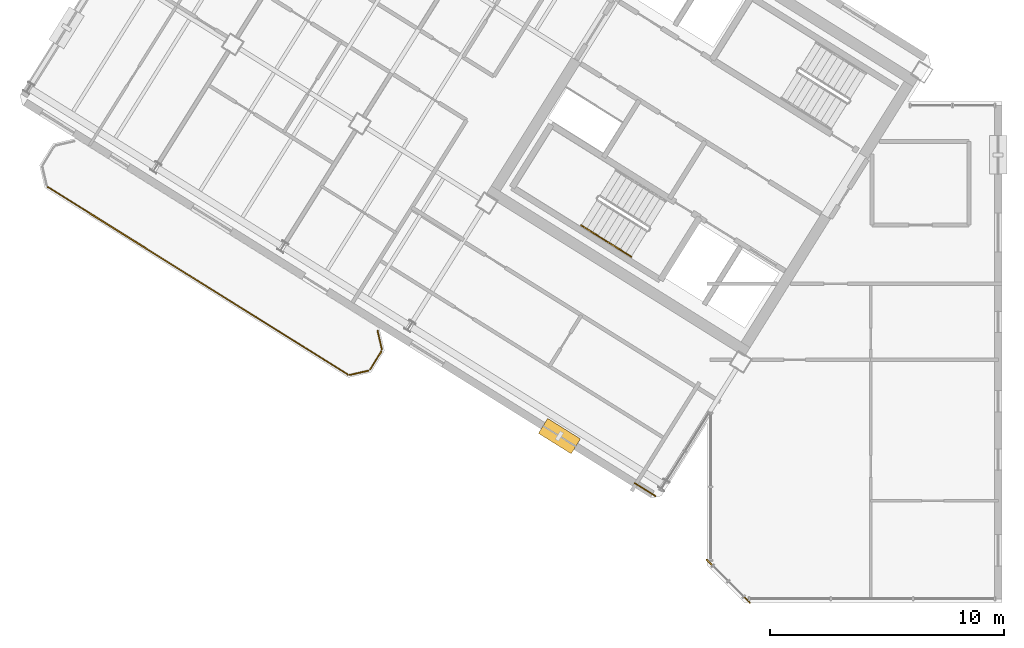
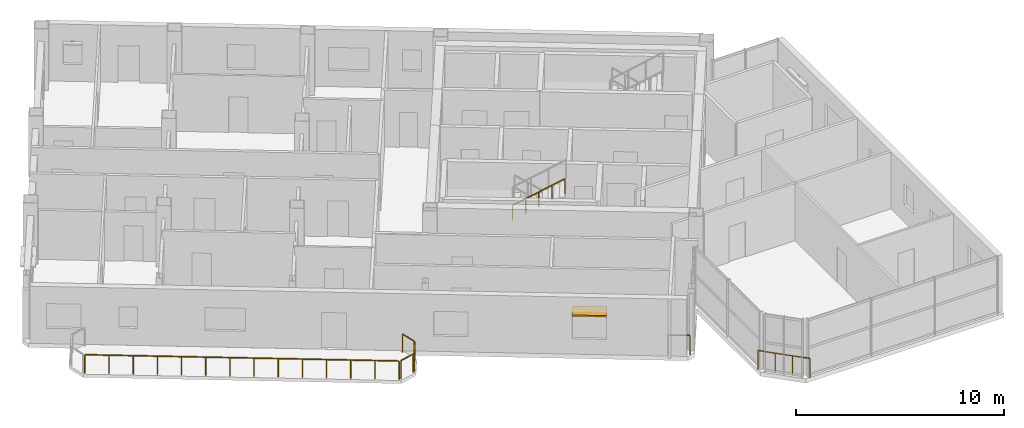
# One storey, part 12 of 15: 8 railings, 1 shading device.
"""IFC4 building model written with IfcOpenShell, lengths in metres."""

from ifc_helpers import new_model, si_unit, direction, frame, origin, origin_2d, place, context, subcontext, project, spatial, rectangle, extrude, source, transform, mapped, material, layer, layer_set, type_object, element, save


model = new_model("IFC4")

# Units and contexts
model_context = context("Model", 3, precision=1e-05, world=origin(), true_north=direction((0.0, 1.0)))
body_context = subcontext(model_context, "Body", "Model", "MODEL_VIEW")
ifc_project = project(units=[si_unit("LENGTHUNIT", "METRE"), si_unit("AREAUNIT", "SQUARE_METRE"), si_unit("VOLUMEUNIT", "CUBIC_METRE"), si_unit("PLANEANGLEUNIT", "RADIAN"), si_unit("MASSUNIT", "GRAM", prefix="KILO")], contexts=[model_context])

# Site, building, storey
site_placement = place(None, origin())
site = spatial("IfcSite", under=ifc_project, at=site_placement, CompositionType="ELEMENT")
building_placement = place(site_placement, origin())
building = spatial("IfcBuilding", under=site, at=building_placement, Name="Tlacorven Tower", CompositionType="ELEMENT")
storey_placement = place(building_placement, frame((0.0, 0.0, 266.39990234375)))
storey = spatial("IfcBuildingStorey", under=building, at=storey_placement, Name="L67", CompositionType="ELEMENT", Elevation=266.39990234375)

# Railings
ifc_material_1 = material(Name="Aluminium and painted steel balustrade", Category="steel")
railing_type_1 = type_object("IfcRailingType", Name="RL-BAL-1100", PredefinedType="BALUSTRADE", material=ifc_material_1)
shared_shape_1 = source(origin(), body_context, "Body", "SweptSolid", [
    extrude(rectangle(XDim=0.048095703125, YDim=0.048095703125, at=origin_2d()), frame((0.0, 0.0, 1.076171875), z_axis=(0.225058334816, -0.974345290916, 0.0), x_axis=(0.974345290916, 0.225058334816, 0.0)), (0.0, 0.0, 1.0), 0.80712890625),
    extrude(rectangle(XDim=0.0419921875, YDim=0.0419921875, at=origin_2d()), origin(), (0.0, 0.0, 1.0), 1.052001953125),
    extrude(rectangle(XDim=0.0419921875, YDim=0.0419921875, at=origin_2d()), frame((0.181640625, -0.786376953125, 0.0)), (0.0, 0.0, 1.0), 1.052001953125),
])
railing_1_placement = place(storey_placement, frame((17.5244140625, 13.413330078125, 0.0)))
element("IfcRailing", 1, at=railing_1_placement, inside=storey, type_object=railing_type_1, Name="BAL-L67-W-OUT Guard Railing 1", PredefinedType="BALUSTRADE", context=body_context, shape_type="MappedRepresentation", body=[
    mapped(shared_shape_1, transform((0.0, 0.0, 0.0), scale=1.0)),
])
shared_shape_2 = source(origin(), body_context, "Body", "SweptSolid", [
    extrude(rectangle(XDim=0.048095703125, YDim=0.048095703125, at=origin_2d()), frame((0.0, 0.0, 1.076171875), z_axis=(-0.52987865805, -0.848073468364, 0.0), x_axis=(0.848073468364, -0.52987865805, 0.0)), (0.0, 0.0, 1.0), 0.912353515625),
    extrude(rectangle(XDim=0.0419921875, YDim=0.0419921875, at=origin_2d()), origin(), (0.0, 0.0, 1.0), 1.052001953125),
    extrude(rectangle(XDim=0.0419921875, YDim=0.0419921875, at=origin_2d()), frame((-0.4833984375, -0.773681640625, 0.0)), (0.0, 0.0, 1.0), 1.052001953125),
])
railing_2_placement = place(storey_placement, frame((17.690673828125, 12.535888671875, 0.0)))
element("IfcRailing", 2, at=railing_2_placement, inside=storey, type_object=railing_type_1, Name="BAL-L67-W-OUT Guard Railing 2", PredefinedType="BALUSTRADE", context=body_context, shape_type="MappedRepresentation", body=[
    mapped(shared_shape_2, transform((0.0, 0.0, 0.0), scale=1.0)),
])
shared_shape_3 = source(origin(), body_context, "Body", "SweptSolid", [
    extrude(rectangle(XDim=0.048095703125, YDim=0.048095703125, at=origin_2d()), frame((0.0, 0.0, 1.076171875), z_axis=(-0.974411586182, -0.224771129628, 0.0), x_axis=(0.224771129628, -0.974411586182, 0.0)), (0.0, 0.0, 1.0), 0.80712890625),
    extrude(rectangle(XDim=0.0419921875, YDim=0.0419921875, at=origin_2d()), origin(), (0.0, 0.0, 1.0), 1.052001953125),
    extrude(rectangle(XDim=0.0419921875, YDim=0.0419921875, at=origin_2d()), frame((-0.786376953125, -0.181396484375, 0.0)), (0.0, 0.0, 1.0), 1.052001953125),
])
railing_3_placement = place(storey_placement, frame((17.132080078125, 11.70849609375, 0.0)))
element("IfcRailing", 3, at=railing_3_placement, inside=storey, type_object=railing_type_1, Name="BAL-L67-W-OUT Guard Railing 3", PredefinedType="BALUSTRADE", context=body_context, shape_type="MappedRepresentation", body=[
    mapped(shared_shape_3, transform((0.0, 0.0, 0.0), scale=1.0)),
])
shared_shape_4 = source(origin(), body_context, "Body", "SweptSolid", [
    extrude(rectangle(XDim=0.048095703125, YDim=0.048095703125, at=origin_2d()), frame((0.0, 0.0, 1.076171875), z_axis=(-0.848044572804, 0.529924902733, 0.0), x_axis=(-0.529924902733, -0.848044572804, 0.0)), (0.0, 0.0, 1.0), 15.1171875),
    extrude(rectangle(XDim=0.0419921875, YDim=0.0419921875, at=origin_2d()), origin(), (0.0, 0.0, 1.0), 1.052001953125),
    extrude(rectangle(XDim=0.0419921875, YDim=0.0419921875, at=origin_2d()), frame((-0.986083984375, 0.6162109375, 0.0)), (0.0, 0.0, 1.0), 1.052001953125),
    extrude(rectangle(XDim=0.0419921875, YDim=0.0419921875, at=origin_2d()), frame((-1.972412109375, 1.232421875, 0.0)), (0.0, 0.0, 1.0), 1.052001953125),
    extrude(rectangle(XDim=0.0419921875, YDim=0.0419921875, at=origin_2d()), frame((-2.95849609375, 1.8486328125, 0.0)), (0.0, 0.0, 1.0), 1.052001953125),
    extrude(rectangle(XDim=0.0419921875, YDim=0.0419921875, at=origin_2d()), frame((-3.944580078125, 2.46484375, 0.0)), (0.0, 0.0, 1.0), 1.052001953125),
    extrude(rectangle(XDim=0.0419921875, YDim=0.0419921875, at=origin_2d()), frame((-4.930908203125, 3.0810546875, 0.0)), (0.0, 0.0, 1.0), 1.052001953125),
    extrude(rectangle(XDim=0.0419921875, YDim=0.0419921875, at=origin_2d()), frame((-5.9169921875, 3.697265625, 0.0)), (0.0, 0.0, 1.0), 1.052001953125),
    extrude(rectangle(XDim=0.0419921875, YDim=0.0419921875, at=origin_2d()), frame((-6.903076171875, 4.313720703125, 0.0)), (0.0, 0.0, 1.0), 1.052001953125),
    extrude(rectangle(XDim=0.0419921875, YDim=0.0419921875, at=origin_2d()), frame((-7.88916015625, 4.929931640625, 0.0)), (0.0, 0.0, 1.0), 1.052001953125),
    extrude(rectangle(XDim=0.0419921875, YDim=0.0419921875, at=origin_2d()), frame((-8.87548828125, 5.546142578125, 0.0)), (0.0, 0.0, 1.0), 1.052001953125),
    extrude(rectangle(XDim=0.0419921875, YDim=0.0419921875, at=origin_2d()), frame((-9.861572265625, 6.162353515625, 0.0)), (0.0, 0.0, 1.0), 1.052001953125),
    extrude(rectangle(XDim=0.0419921875, YDim=0.0419921875, at=origin_2d()), frame((-10.84765625, 6.778564453125, 0.0)), (0.0, 0.0, 1.0), 1.052001953125),
    extrude(rectangle(XDim=0.0419921875, YDim=0.0419921875, at=origin_2d()), frame((-11.833984375, 7.394775390625, 0.0)), (0.0, 0.0, 1.0), 1.052001953125),
    extrude(rectangle(XDim=0.0419921875, YDim=0.0419921875, at=origin_2d()), frame((-12.820068359375, 8.010986328125, 0.0)), (0.0, 0.0, 1.0), 1.052001953125),
])
railing_4_placement = place(storey_placement, frame((16.254638671875, 11.542236328125, 0.0)))
element("IfcRailing", 4, at=railing_4_placement, inside=storey, type_object=railing_type_1, Name="BAL-L67-W-OUT Guard Railing 4", PredefinedType="BALUSTRADE", context=body_context, shape_type="MappedRepresentation", body=[
    mapped(shared_shape_4, transform((0.0, 0.0, 0.0), scale=1.0)),
])
railing_type_2 = type_object("IfcRailingType", Name="RL-GRD-1150", PredefinedType="GUARDRAIL", material=ifc_material_1)
shared_shape_5 = source(origin(), body_context, "Body", "SweptSolid", [
    extrude(rectangle(XDim=0.048095703125, YDim=0.048095703125, at=origin_2d()), frame((0.0, 0.0, 1.1259765625), z_axis=(-0.707106781187, 0.707106781187, 0.0), x_axis=(-0.707106781187, -0.707106781187, 0.0)), (0.0, 0.0, 1.0), 2.590087890625),
    extrude(rectangle(XDim=0.0419921875, YDim=0.0419921875, at=origin_2d()), origin(), (0.0, 0.0, 1.0), 1.101806640625),
    extrude(rectangle(XDim=0.0419921875, YDim=0.0419921875, at=origin_2d()), frame((-0.610595703125, 0.610595703125, 0.0)), (0.0, 0.0, 1.0), 1.101806640625),
    extrude(rectangle(XDim=0.0419921875, YDim=0.0419921875, at=origin_2d()), frame((-1.220947265625, 1.220947265625, 0.0)), (0.0, 0.0, 1.0), 1.101806640625),
    extrude(rectangle(XDim=0.0419921875, YDim=0.0419921875, at=origin_2d()), frame((-1.83154296875, 1.83154296875, 0.0)), (0.0, 0.0, 1.0), 1.101806640625),
])
railing_5_placement = place(storey_placement, frame((33.428955078125, 1.79736328125, 0.0)))
element("IfcRailing", 5, at=railing_5_placement, inside=storey, type_object=railing_type_2, Name="L67 Knuckle Glazed Sill Guard 1", PredefinedType="GUARDRAIL", context=body_context, shape_type="MappedRepresentation", body=[
    mapped(shared_shape_5, transform((0.0, 0.0, 0.0), scale=1.0)),
])
shared_shape_6 = source(origin(), body_context, "Body", "SweptSolid", [
    extrude(rectangle(XDim=0.048095703125, YDim=0.048095703125, at=origin_2d()), frame((0.0, 0.0, 1.1259765625), z_axis=(-0.848102774857, 0.529831749973, 0.0), x_axis=(-0.529831749973, -0.848102774857, 0.0)), (0.0, 0.0, 1.0), 1.050048828125),
    extrude(rectangle(XDim=0.0419921875, YDim=0.0419921875, at=origin_2d()), origin(), (0.0, 0.0, 1.0), 1.101806640625),
    extrude(rectangle(XDim=0.0419921875, YDim=0.0419921875, at=origin_2d()), frame((-0.890625, 0.556396484375, 0.0)), (0.0, 0.0, 1.0), 1.101806640625),
])
railing_6_placement = place(storey_placement, frame((29.39501953125, 6.35009765625, 0.0)))
element("IfcRailing", 6, at=railing_6_placement, inside=storey, type_object=railing_type_2, Name="L67 Knuckle Glazed Sill Guard 2", PredefinedType="GUARDRAIL", context=body_context, shape_type="MappedRepresentation", body=[
    mapped(shared_shape_6, transform((0.0, 0.0, 0.0), scale=1.0)),
])

# Shading device
ifc_material_2 = material(Name="Anodised bronze aluminium sunshade", Category="aluminium")
ifc_layer = layer(ifc_material_2, 0.080078125)
ifc_layer_set = layer_set([ifc_layer], Name="Anodised bronze aluminium sunshade")
shading_device_type = type_object("IfcShadingDeviceType", Name="SH-SUN-BRZ", PredefinedType="AWNING", material=ifc_layer_set)
shared_shape_7 = source(origin(), body_context, "Body", "SweptSolid", [
    extrude(rectangle(XDim=1.64990234375, YDim=0.75, at=origin_2d()), origin(), (0.0, 0.0, 1.0), 0.080078125),
])
shading_device_placement = place(storey_placement, frame((25.295654296875, 8.911376953125, 2.3701171875), z_axis=(0.0, 0.0, 1.0), x_axis=(-0.84804812172, 0.529919223323, 0.0)))
element("IfcShadingDevice", 7, at=shading_device_placement, inside=storey, type_object=shading_device_type, Name="L67 Solar Brise-Soleil Sunshade L67-02.1", PredefinedType="AWNING", context=body_context, shape_type="MappedRepresentation", body=[
    mapped(shared_shape_7, transform((0.0, 0.0, 0.0), scale=1.0)),
])

# Railings
railing_type_3 = type_object("IfcRailingType", Name="RL-HND-0900", PredefinedType="HANDRAIL", material=ifc_material_1)
shared_shape_8 = source(origin(), body_context, "Body", "SweptSolid", [
    extrude(rectangle(XDim=0.048095703125, YDim=0.048095703125, at=origin_2d()), frame((0.0, 0.0, 0.8759765625), z_axis=(0.713359751793, -0.4457479829, 0.540764828981), x_axis=(0.529911857636, 0.848052724267, 0.0)), (0.0, 0.0, 1.0), 1.498046875),
    extrude(rectangle(XDim=0.0419921875, YDim=0.0419921875, at=origin_2d()), origin(), (0.0, 0.0, 1.0), 0.851806640625),
    extrude(rectangle(XDim=0.0419921875, YDim=0.0419921875, at=origin_2d()), frame((0.5341796875, -0.333984375, 0.405029296875)), (0.0, 0.0, 1.0), 0.851806640625),
    extrude(rectangle(XDim=0.0419921875, YDim=0.0419921875, at=origin_2d()), frame((1.068603515625, -0.667724609375, 0.81005859375)), (0.0, 0.0, 1.0), 0.851806640625),
])
railing_7_placement = place(storey_placement, frame((26.228759765625, 17.915283203125, 1.97998046875)))
element("IfcRailing", 8, at=railing_7_placement, inside=storey, type_object=railing_type_3, Name="L67 ST-W1 stair handrail 3", PredefinedType="HANDRAIL", context=body_context, shape_type="MappedRepresentation", body=[
    mapped(shared_shape_8, transform((0.0, 0.0, 0.0), scale=1.0)),
])
shared_shape_9 = source(origin(), body_context, "Body", "SweptSolid", [
    extrude(rectangle(XDim=0.048095703125, YDim=0.048095703125, at=origin_2d()), frame((0.0, 0.0, 0.8759765625), z_axis=(0.713279695859, -0.445799809912, 0.540827703579), x_axis=(0.529998940003, 0.847998304005, 0.0)), (0.0, 0.0, 1.0), 1.497802734375),
    extrude(rectangle(XDim=0.0419921875, YDim=0.0419921875, at=origin_2d()), origin(), (0.0, 0.0, 1.0), 0.851806640625),
    extrude(rectangle(XDim=0.0419921875, YDim=0.0419921875, at=origin_2d()), frame((0.5341796875, -0.333984375, 0.405029296875)), (0.0, 0.0, 1.0), 0.851806640625),
    extrude(rectangle(XDim=0.0419921875, YDim=0.0419921875, at=origin_2d()), frame((1.068359375, -0.667724609375, 0.81005859375)), (0.0, 0.0, 1.0), 0.851806640625),
])
railing_8_placement = place(storey_placement, frame((27.29736328125, 17.24755859375, 2.7900390625)))
element("IfcRailing", 9, at=railing_8_placement, inside=storey, type_object=railing_type_3, Name="L67 ST-W1 stair handrail 4", PredefinedType="HANDRAIL", context=body_context, shape_type="MappedRepresentation", body=[
    mapped(shared_shape_9, transform((0.0, 0.0, 0.0), scale=1.0)),
])

save(model, "model.ifc")
